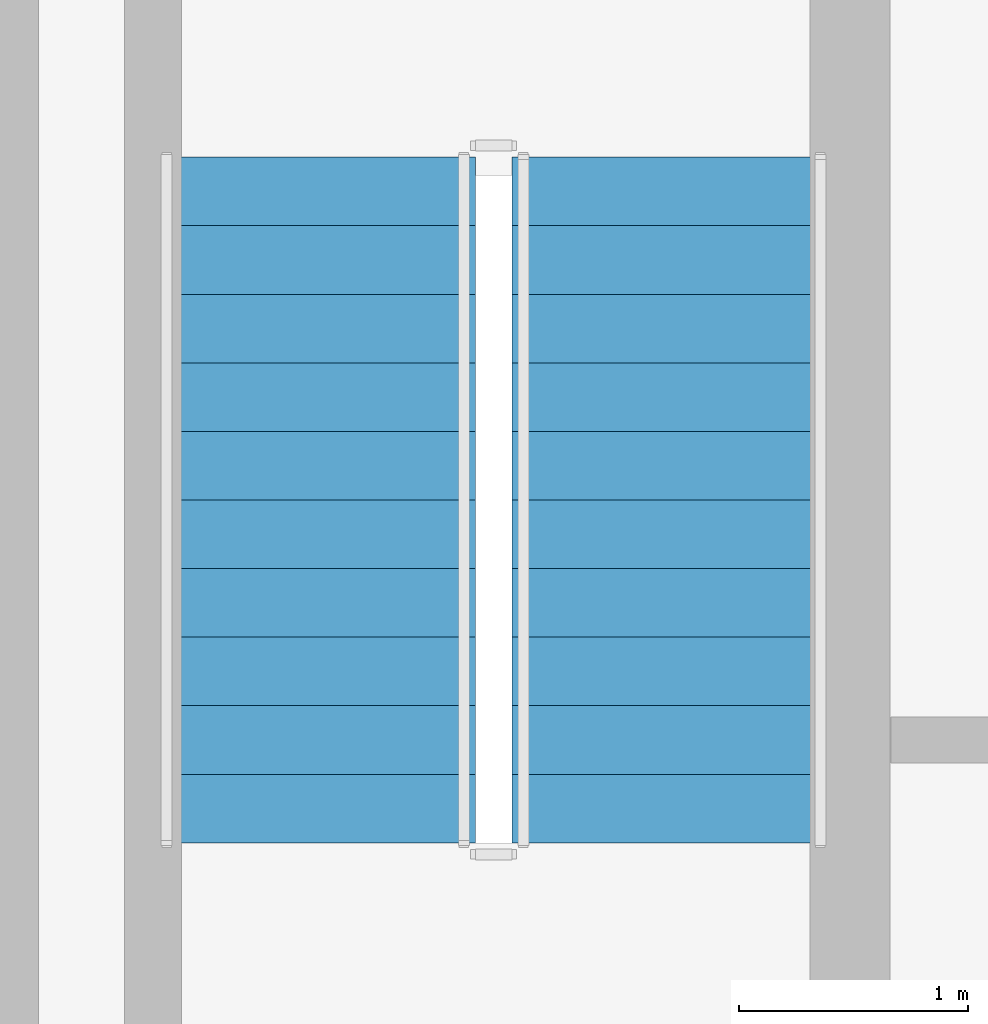
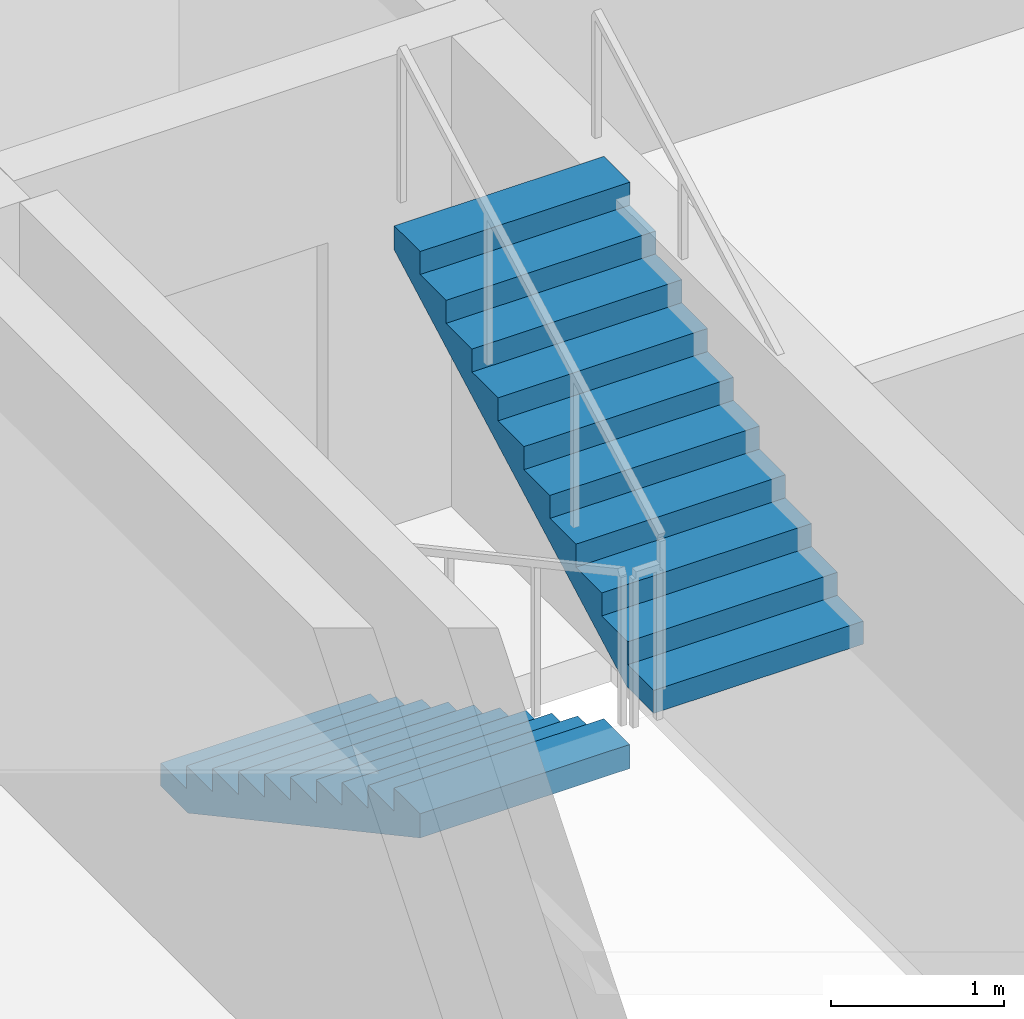
# One storey, part 7 of 15: 2 stair flights, 1 element without a shape of its own.
"""IFC4 building model written with IfcOpenShell, lengths in metres."""

from ifc_helpers import new_model, si_unit, direction, frame, origin, place, context, subcontext, project, spatial, polyline, outline, extrude, material, layer, layer_set, type_object, element, aggregate, save


model = new_model("IFC4")

# Units and contexts
model_context = context("Model", 3, precision=1e-05, world=origin(), true_north=direction((0.0, 1.0)))
body_context = subcontext(model_context, "Body", "Model", "MODEL_VIEW")
ifc_project = project(units=[si_unit("LENGTHUNIT", "METRE"), si_unit("AREAUNIT", "SQUARE_METRE"), si_unit("VOLUMEUNIT", "CUBIC_METRE"), si_unit("PLANEANGLEUNIT", "RADIAN"), si_unit("MASSUNIT", "GRAM", prefix="KILO")], contexts=[model_context])

# Site, building, storey
site_placement = place(None, origin())
site = spatial("IfcSite", under=ifc_project, at=site_placement, CompositionType="ELEMENT")
building_placement = place(site_placement, origin())
building = spatial("IfcBuilding", under=site, at=building_placement, Name="Zulmaris Gate Convention Tower", CompositionType="ELEMENT")
storey_placement = place(building_placement, frame((0.0, 0.0, 37.909912109375)))
storey = spatial("IfcBuildingStorey", under=building, at=storey_placement, Name="L08", CompositionType="ELEMENT", Elevation=37.909912109375)

# Stair, stair flights
ifc_material = material(Name="Concrete C45/55", Category="concrete")
stair_type = type_object("IfcStairType", Name="ST-CORE-DOGLEG", PredefinedType="HALF_TURN_STAIR", material=ifc_material)
stair_placement = place(storey_placement, origin())
stair = element("IfcStair", 1, at=stair_placement, inside=storey, type_object=stair_type, Name="L08 Core Exit Stair ST-2", PredefinedType="HALF_TURN_STAIR")
ifc_layer = layer(ifc_material, 0.14990234375, Name="Concrete C45/55")
ifc_layer_set = layer_set([ifc_layer], Name="Concrete C45/55")
stair_flight_type = type_object("IfcStairFlightType", Name="STF-RC150", PredefinedType="STRAIGHT", material=ifc_layer_set)
stair_flight_1_placement = place(storey_placement, frame((12.360107421875, -2.0, 0.0), z_axis=(0.0, 0.0, 1.0), x_axis=(0.0, -1.0, 0.0)))
stair_flight_1 = element("IfcStairFlight", 2, at=stair_flight_1_placement, type_object=stair_flight_type, Name="ST-2 flight 1", NumberOfRisers=11, NumberOfTreads=10, PredefinedType="STRAIGHT", RiserHeight=0.162277273, TreadLength=0.3, context=body_context, shape_type="SweptSolid", body=[
    extrude(outline(polyline([(0.0, 0.0), (0.0, 0.162353515625), (0.300048828125, 0.162353515625), (0.300048828125, 0.324462890625), (0.60009765625, 0.324462890625), (0.60009765625, 0.48681640625), (0.89990234375, 0.48681640625), (0.89990234375, 0.649169921875), (1.199951171875, 0.649169921875), (1.199951171875, 0.811279296875), (1.5, 0.811279296875), (1.5, 0.9736328125), (1.800048828125, 0.9736328125), (1.800048828125, 1.135986328125), (2.10009765625, 1.135986328125), (2.10009765625, 1.29833984375), (2.39990234375, 1.29833984375), (2.39990234375, 1.46044921875), (2.699951171875, 1.46044921875), (2.699951171875, 1.622802734375), (3.0, 1.622802734375), (3.0, 1.78515625), (3.0, 1.452392578125), (0.315185546875, 0.0), (0.0, 0.0)])), frame((0.0, 0.699951171875, 0.0), z_axis=(0.0, -1.0, 0.0), x_axis=(1.0, 0.0, 0.0)), (0.0, 0.0, 1.0), 1.39990234375),
])
stair_flight_2_placement = place(storey_placement, frame((13.919921875, -5.0, 1.78515625), z_axis=(0.0, 0.0, 1.0), x_axis=(0.0, 1.0, 0.0)))
stair_flight_2 = element("IfcStairFlight", 3, at=stair_flight_2_placement, type_object=stair_flight_type, Name="ST-2 flight 2", NumberOfRisers=11, NumberOfTreads=10, PredefinedType="STRAIGHT", RiserHeight=0.162277273, TreadLength=0.3, context=body_context, shape_type="SweptSolid", body=[
    extrude(outline(polyline([(0.0, 0.0), (0.0, 0.162353515625), (0.300048828125, 0.162353515625), (0.300048828125, 0.324462890625), (0.60009765625, 0.324462890625), (0.60009765625, 0.48681640625), (0.89990234375, 0.48681640625), (0.89990234375, 0.649169921875), (1.199951171875, 0.649169921875), (1.199951171875, 0.811279296875), (1.5, 0.811279296875), (1.5, 0.9736328125), (1.800048828125, 0.9736328125), (1.800048828125, 1.135986328125), (2.10009765625, 1.135986328125), (2.10009765625, 1.29833984375), (2.39990234375, 1.29833984375), (2.39990234375, 1.46044921875), (2.699951171875, 1.46044921875), (2.699951171875, 1.622802734375), (3.0, 1.622802734375), (3.0, 1.78515625), (3.0, 1.452392578125), (0.315185546875, 0.0), (0.0, 0.0)])), frame((0.0, 0.699951171875, 0.0), z_axis=(0.0, -1.0, 0.0), x_axis=(1.0, 0.0, 0.0)), (0.0, 0.0, 1.0), 1.39990234375),
])
aggregate(stair, [stair_flight_1, stair_flight_2])

save(model, "model.ifc")
